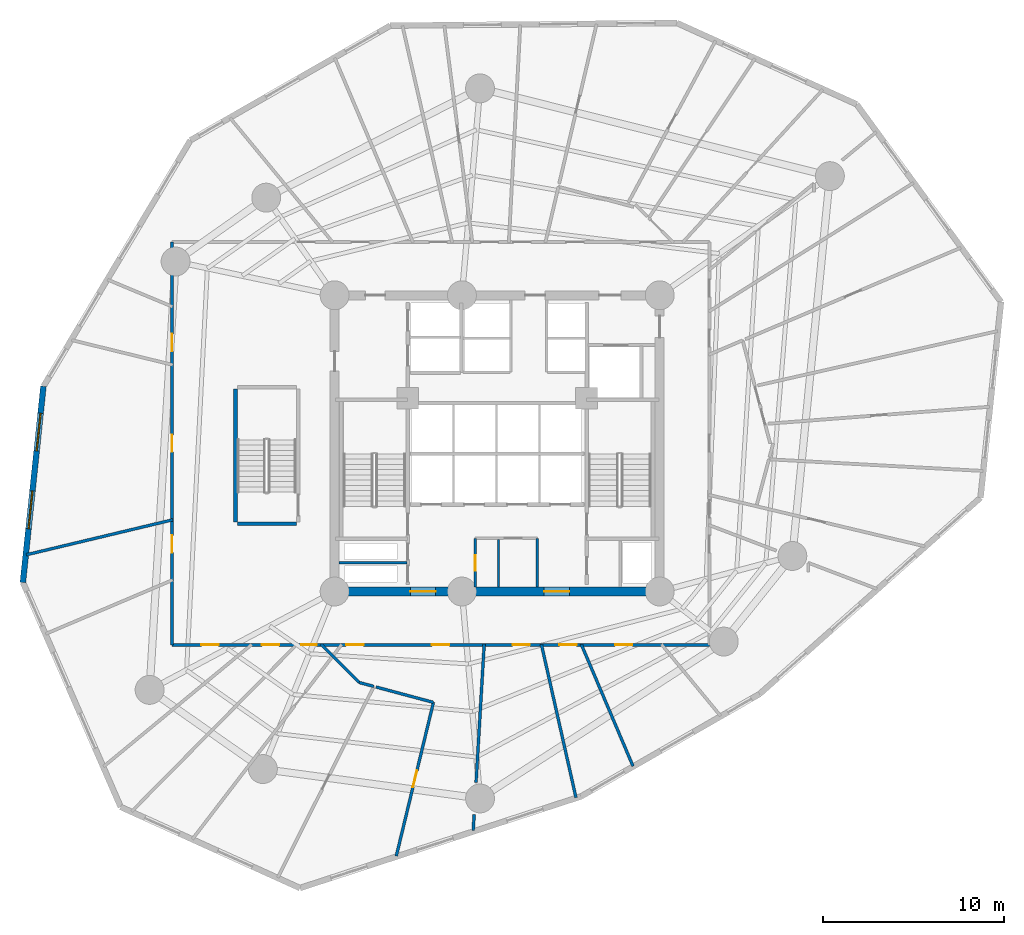
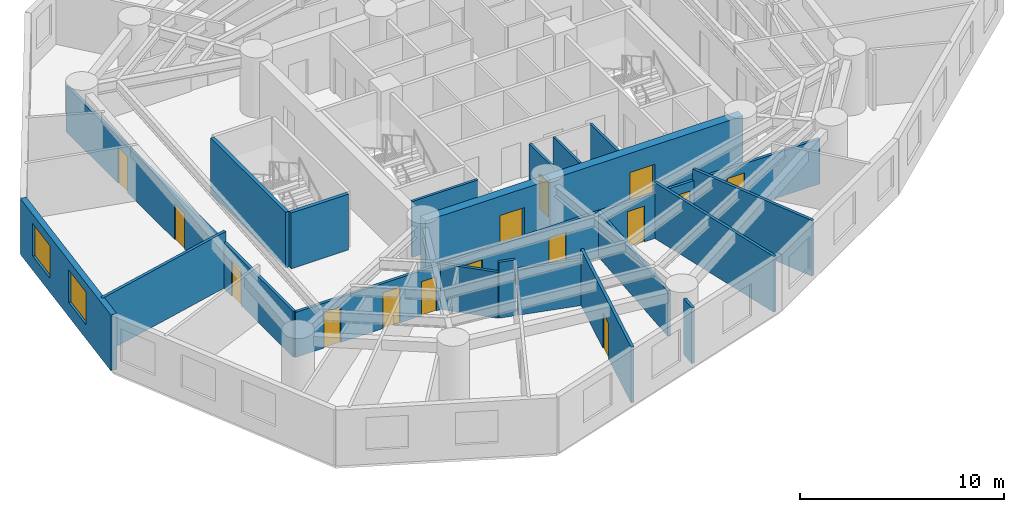
# One storey, part 3 of 8: 20 walls, 15 doors, 2 windows, 17 openings.
"""IFC4 building model written with IfcOpenShell, lengths in metres."""

import ifcopenshell
import ifcopenshell.guid

model = None  # the IFC model being written
_history = None  # IfcOwnerHistory: only IFC2X3 demands one
_inside = {}  # id of a spatial element -> (the spatial element, [elements in it])
_under = {}  # id of a project, library or spatial element -> (it, [spatial elements below it])
_declared = {}  # id of a project -> (the project, [libraries it declares])
_typed = {}  # id of a type object -> (the type object, [elements of that type])
_made_of = {}  # id of a material, layer set ... -> (it, [elements and type objects made of it])


def new_model(schema):
    """Start an empty IFC model of exactly this schema.

    Asked for "IFC4X3", IfcOpenShell would pick the latest addendum, in which some entities
    have other attributes; the version numbers below select the first issue.
    IFC2X3 requires an IfcOwnerHistory on every rooted entity: one is made here for all.
    """
    global model, _history
    if schema == "IFC4X3":
        model = ifcopenshell.file(schema_version=(4, 3, 0, 0))
    else:
        model = ifcopenshell.file(schema=schema)
    _inside.clear()
    _under.clear()
    _declared.clear()
    _typed.clear()
    _made_of.clear()
    _history = None
    if model.schema == "IFC2X3":
        org = make("IfcOrganization", Name="unknown")
        user = make(
            "IfcPersonAndOrganization",
            ThePerson=make("IfcPerson", FamilyName="unknown"),
            TheOrganization=org,
        )
        app = make(
            "IfcApplication",
            ApplicationDeveloper=org,
            Version="unknown",
            ApplicationFullName="unknown",
            ApplicationIdentifier="unknown",
        )
        _history = make(
            "IfcOwnerHistory",
            OwningUser=user,
            OwningApplication=app,
            ChangeAction="ADDED",
            CreationDate=0,
        )
    return model


def make(cls, **values):
    """One entity of the class cls with the attributes given. An attribute that is None is left unset."""
    return model.create_entity(
        cls, **{name: value for name, value in values.items() if value is not None}
    )


def rooted(cls, **values):
    """An entity with a GlobalId (a new one), such as an element, a storey or a relation."""
    return make(cls, GlobalId=ifcopenshell.guid.new(), OwnerHistory=_history, **values)


def si_unit(unit_type, name, prefix=None):
    """IfcSIUnit, for example si_unit("LENGTHUNIT", "METRE", prefix="MILLI")."""
    return make("IfcSIUnit", UnitType=unit_type, Prefix=prefix, Name=name)


def assignment(units):
    """IfcUnitAssignment: the units of a project."""
    return None if units is None else make("IfcUnitAssignment", Units=units)


def point(xyz):
    """IfcCartesianPoint."""
    return None if xyz is None else make("IfcCartesianPoint", Coordinates=xyz)


def direction(xyz):
    """IfcDirection."""
    return None if xyz is None else make("IfcDirection", DirectionRatios=xyz)


def frame(location, z_axis=None, x_axis=None):
    """IfcAxis2Placement3D, a coordinate frame: its origin and axes. An axis left out is left unset."""
    return make(
        "IfcAxis2Placement3D",
        Location=point(location),
        Axis=direction(z_axis),
        RefDirection=direction(x_axis),
    )


def frame_2d(location, x_axis=None):
    """IfcAxis2Placement2D, a coordinate frame in the plane: its origin and x axis."""
    return make(
        "IfcAxis2Placement2D", Location=point(location), RefDirection=direction(x_axis)
    )


def origin():
    """The frame at (0, 0, 0) with its axes left unset."""
    return frame((0.0, 0.0, 0.0))


def origin_with_axes():
    """The frame at (0, 0, 0) with the z axis (0, 0, 1) and the x axis (1, 0, 0) written out."""
    return frame((0.0, 0.0, 0.0), z_axis=(0.0, 0.0, 1.0), x_axis=(1.0, 0.0, 0.0))


def place(relative_to, where):
    """IfcLocalPlacement: puts the frame where relative to a parent placement (None: the world)."""
    return make(
        "IfcLocalPlacement", PlacementRelTo=relative_to, RelativePlacement=where
    )


def context(
    kind, dimensions, precision=None, world=None, true_north=None, identifier=None
):
    """IfcGeometricRepresentationContext, for example the 3D "Model" context."""
    return make(
        "IfcGeometricRepresentationContext",
        ContextIdentifier=identifier,
        ContextType=kind,
        CoordinateSpaceDimension=dimensions,
        Precision=precision,
        WorldCoordinateSystem=world,
        TrueNorth=true_north,
    )


def subcontext(parent, identifier, kind, view, scale=None):
    """IfcGeometricRepresentationSubContext, for example "Body" below "Model"."""
    return make(
        "IfcGeometricRepresentationSubContext",
        ContextIdentifier=identifier,
        ContextType=kind,
        ParentContext=parent,
        TargetScale=scale,
        TargetView=view,
    )


def project(units=None, contexts=None):
    """IfcProject with its units and contexts."""
    return rooted(
        "IfcProject",
        Name="project",
        RepresentationContexts=contexts,
        UnitsInContext=assignment(units),
    )


def spatial(cls, under=None, at=None, **own):
    """A site, building, storey or space (cls), placed at a placement, below another one or the project."""
    s = rooted(cls, ObjectPlacement=at, **own)
    if under is not None:
        _under.setdefault(under.id(), (under, []))[1].append(s)
    return s


def profile(cls, at=None, kind="AREA", **sizes):
    """A parametric profile (cls). Its sizes go by their IFC names, for example OverallWidth=200.0."""
    return make(cls, ProfileType=kind, Position=at, **sizes)


def rectangle(**sizes):
    """IfcRectangleProfileDef."""
    return profile("IfcRectangleProfileDef", **sizes)


def extrude(swept, where, along, depth):
    """IfcExtrudedAreaSolid: the profile swept, set in the frame where, extruded along a direction by depth."""
    return make(
        "IfcExtrudedAreaSolid",
        SweptArea=swept,
        Position=where,
        ExtrudedDirection=direction(along),
        Depth=depth,
    )


def shape(context_of_items, identifier, shape_type, items):
    """IfcShapeRepresentation: the items that make up one representation, for example the "Body"."""
    return make(
        "IfcShapeRepresentation",
        ContextOfItems=context_of_items,
        RepresentationIdentifier=identifier,
        RepresentationType=shape_type,
        Items=items,
    )


def source(mapping_origin, context_of_items, identifier, shape_type, items):
    """IfcRepresentationMap: a shape defined once, which mapped items show again and again."""
    return make(
        "IfcRepresentationMap",
        MappingOrigin=mapping_origin,
        MappedRepresentation=shape(context_of_items, identifier, shape_type, items),
    )


def transform(
    local_origin,
    x_axis=None,
    y_axis=None,
    z_axis=None,
    scale=None,
    scale2=None,
    scale3=None,
    uniform=True,
):
    """IfcCartesianTransformationOperator3D, or its non-uniform kind. x_axis, y_axis, z_axis: its Axis1, 2, 3."""
    if uniform:
        return make(
            "IfcCartesianTransformationOperator3D",
            Axis1=direction(x_axis),
            Axis2=direction(y_axis),
            LocalOrigin=point(local_origin),
            Scale=scale,
            Axis3=direction(z_axis),
        )
    return make(
        "IfcCartesianTransformationOperator3DnonUniform",
        Axis1=direction(x_axis),
        Axis2=direction(y_axis),
        LocalOrigin=point(local_origin),
        Scale=scale,
        Axis3=direction(z_axis),
        Scale2=scale2,
        Scale3=scale3,
    )


def mapped(mapping_source, mapping_target):
    """IfcMappedItem: shows the shape of a source again, moved by a transform."""
    return make(
        "IfcMappedItem", MappingSource=mapping_source, MappingTarget=mapping_target
    )


def material(Name=None, Category=None):
    """IfcMaterial."""
    return make("IfcMaterial", Name=Name, Category=Category)


def layer(
    of_material, thickness, ventilated=None, Name=None, Category=None, Priority=None
):
    """IfcMaterialLayer: one layer of a wall or slab, of a material (None: an air gap)."""
    return make(
        "IfcMaterialLayer",
        Material=of_material,
        LayerThickness=thickness,
        IsVentilated=ventilated,
        Name=Name,
        Category=Category,
        Priority=Priority,
    )


def layer_set(layers, Name=None):
    """IfcMaterialLayerSet."""
    return make("IfcMaterialLayerSet", MaterialLayers=layers, LayerSetName=Name)


def made_of(thing, what):
    """Note that an element or type object is made of a material, layer set ...; save() writes the relation."""
    if what is not None:
        _made_of.setdefault(what.id(), (what, []))[1].append(thing)
    return thing


def type_object(cls, material=None, **own):
    """A type object (cls), such as IfcWallType, which elements share."""
    return made_of(rooted(cls, **own), material)


def element(
    cls,
    number,
    at=None,
    inside=None,
    cuts=None,
    type_object=None,
    material=None,
    context=None,
    identifier="Body",
    shape_type=None,
    held_by="IfcProductDefinitionShape",
    body=None,
    shapes=None,
    **own,
):
    """One element of the class cls, such as IfcWall. Its Tag is "e" and its number.

    at: its placement. inside: the storey or other place that contains it. cuts: it is an
    opening in that element (IfcRelVoidsElement). A single representation is given by context,
    identifier, shape_type and body (its items); several are given by shapes. held_by: the class
    of the entity that holds the representations. save() writes the other relations.
    """
    e = rooted(cls, Tag="e%d" % number, ObjectPlacement=at, **own)
    if body is not None:
        shapes = [shape(context, identifier, shape_type, body)]
    if shapes is not None:
        e.Representation = make(held_by, Representations=shapes)
    if inside is not None:
        _inside.setdefault(inside.id(), (inside, []))[1].append(e)
    if cuts is not None:
        rooted(
            "IfcRelVoidsElement", RelatingBuildingElement=cuts, RelatedOpeningElement=e
        )
    if type_object is not None:
        _typed.setdefault(type_object.id(), (type_object, []))[1].append(e)
    return made_of(e, material)


def fill(opening, filler):
    """IfcRelFillsElement: the door or window that sits in an opening."""
    return rooted(
        "IfcRelFillsElement",
        RelatingOpeningElement=opening,
        RelatedBuildingElement=filler,
    )


def aggregate(whole, parts):
    """IfcRelAggregates: a whole, such as a stair, and the parts it consists of."""
    return rooted("IfcRelAggregates", RelatingObject=whole, RelatedObjects=parts)


def save(model, path):
    """Write the relations noted so far, then the file.

    IfcRelAggregates (storeys below a building ...), IfcRelContainedInSpatialStructure (elements
    in a storey), IfcRelDefinesByType, IfcRelAssociatesMaterial and IfcRelDeclares: one each for
    every whole, place, type object, material and project.
    """
    for whole, parts in _under.values():
        aggregate(whole, parts)
    for where, things in _inside.values():
        rooted(
            "IfcRelContainedInSpatialStructure",
            RelatedElements=things,
            RelatingStructure=where,
        )
    for kind, things in _typed.values():
        rooted("IfcRelDefinesByType", RelatedObjects=things, RelatingType=kind)
    for what, things in _made_of.values():
        rooted("IfcRelAssociatesMaterial", RelatedObjects=things, RelatingMaterial=what)
    for by, libraries in _declared.values():
        rooted("IfcRelDeclares", RelatingContext=by, RelatedDefinitions=libraries)
    model.write(path)


model = new_model("IFC4")

# Units and contexts
model_context = context("Model", 3, precision=1e-05, world=origin(), true_north=direction((0.0, 1.0)))
body_context = subcontext(model_context, "Body", "Model", "MODEL_VIEW")
ifc_project = project(units=[si_unit("LENGTHUNIT", "METRE"), si_unit("AREAUNIT", "SQUARE_METRE"), si_unit("VOLUMEUNIT", "CUBIC_METRE"), si_unit("PLANEANGLEUNIT", "RADIAN"), si_unit("MASSUNIT", "GRAM", prefix="KILO")], contexts=[model_context])

# Site, building, storey
site_placement = place(None, origin())
site = spatial("IfcSite", under=ifc_project, at=site_placement, CompositionType="ELEMENT")
building_placement = place(site_placement, origin())
building = spatial("IfcBuilding", under=site, at=building_placement, Name="Karkom Vertical University and Central Library", CompositionType="ELEMENT")
storey_placement = place(building_placement, frame((0.0, 0.0, 30.10009765625)))
storey = spatial("IfcBuildingStorey", under=building, at=storey_placement, Name="L07", CompositionType="ELEMENT", Elevation=30.10009765625)

# Wall, openings, windows
ifc_material_1 = material(Name="Brick-faced precast concrete C45/55", Category="masonry")
ifc_layer_1 = layer(ifc_material_1, 0.320068359375)
ifc_layer_set_1 = layer_set([ifc_layer_1], Name="Brick-faced precast concrete C45/55")
wall_type_1 = type_object("IfcWallType", Name="ENV-WL-BRK-320", PredefinedType="SOLIDWALL", material=ifc_layer_set_1)
wall_1_placement = place(storey_placement, frame((3.3798828125, 29.66162109375, 0.0), z_axis=(0.0, 0.0, 1.0), x_axis=(-0.104113364298, -0.994565436447, 0.0)))
wall_1 = element("IfcWall", 1, at=wall_1_placement, inside=storey, type_object=wall_type_1, Name="Level 07 Brick-Faced Precast Facade Wall 03", PredefinedType="SOLIDWALL", context=body_context, shape_type="SweptSolid", body=[
    extrude(rectangle(XDim=10.92041015625, YDim=0.320068359375, at=frame_2d((5.460205078125, 0.0))), origin(), (0.0, 0.0, 1.0), 3.349853515625),
])
opening_1_placement = place(wall_1_placement, frame((1.49609375, 0.0, 0.85009765625)))
opening_1 = element("IfcOpeningElement", 2, at=opening_1_placement, cuts=wall_1, Name="Opening WN-03", PredefinedType="OPENING", context=body_context, shape_type="SweptSolid", body=[
    extrude(rectangle(XDim=2.10009765625, YDim=1.949951171875, at=frame_2d((1.050048828125, 0.97509765625))), frame((0.0, 0.169921875, 0.0), z_axis=(0.0, -1.0, 0.0), x_axis=(1.0, 0.0, 0.0)), (0.0, 0.0, 1.0), 0.340087890625),
])
opening_2_placement = place(wall_1_placement, frame((5.828125, 0.0, 0.85009765625)))
opening_2 = element("IfcOpeningElement", 3, at=opening_2_placement, cuts=wall_1, Name="Opening WN-03", PredefinedType="OPENING", context=body_context, shape_type="SweptSolid", body=[
    extrude(rectangle(XDim=2.10009765625, YDim=1.949951171875, at=frame_2d((1.050048828125, 0.97509765625))), frame((0.0, 0.169921875, 0.0), z_axis=(0.0, -1.0, 0.0), x_axis=(1.0, 0.0, 0.0)), (0.0, 0.0, 1.0), 0.340087890625),
])
ifc_material_2 = material(Name="Aluminium thermal-break frame with solar-control IGU", Category="aluminium")
window_type = type_object("IfcWindowType", Name="ENV-WIN-WN-03", PartitioningType="SINGLE_PANEL", PredefinedType="WINDOW", material=ifc_material_2)
shared_shape_1 = source(origin_with_axes(), body_context, "Body", "SweptSolid", [
    extrude(rectangle(XDim=2.10009765625, YDim=1.949951171875, at=frame_2d((1.050048828125, 0.97509765625))), frame((0.0, 0.030029296875, 0.0), z_axis=(0.0, -1.0, 0.0), x_axis=(1.0, 0.0, 0.0)), (0.0, 0.0, 1.0), 0.06005859375),
])
window_1_placement = place(opening_1_placement, origin())
window_1 = element("IfcWindow", 4, at=window_1_placement, inside=storey, type_object=window_type, Name="Level 07 Punched Window 3.1", OverallHeight=1.949951171875, OverallWidth=2.10009765625, PartitioningType="SINGLE_PANEL", PredefinedType="WINDOW", context=body_context, shape_type="MappedRepresentation", body=[
    mapped(shared_shape_1, transform((0.0, 0.0, 0.0), scale=1.0)),
])
fill(opening_1, window_1)
window_2_placement = place(opening_2_placement, origin())
window_2 = element("IfcWindow", 5, at=window_2_placement, inside=storey, type_object=window_type, Name="Level 07 Punched Window 3.2", OverallHeight=1.949951171875, OverallWidth=2.10009765625, PartitioningType="SINGLE_PANEL", PredefinedType="WINDOW", context=body_context, shape_type="MappedRepresentation", body=[
    mapped(shared_shape_1, transform((0.0, 0.0, 0.0), scale=1.0)),
])
fill(opening_2, window_2)

# Wall, openings, doors
ifc_material_3 = material(Name="Insulated metal-stud drywall 160mm", Category="gypsum")
ifc_layer_2 = layer(ifc_material_3, 0.159912109375)
ifc_layer_set_2 = layer_set([ifc_layer_2], Name="Insulated metal-stud drywall 160mm")
wall_type_2 = type_object("IfcWallType", Name="INT-WL-COR-160", PredefinedType="PARTITIONING", material=ifc_layer_set_2)
wall_2_placement = place(storey_placement, frame((40.25, 15.35009765625, 0.0), z_axis=(0.0, 0.0, 1.0), x_axis=(-1.0, 0.0, 0.0)))
wall_2 = element("IfcWall", 6, at=wall_2_placement, inside=storey, type_object=wall_type_2, Name="Level 07 Interior Partition Wall Level 07-CORW-CW-001", PredefinedType="PARTITIONING", context=body_context, shape_type="SweptSolid", body=[
    extrude(rectangle(XDim=29.75, YDim=0.159912109375, at=frame_2d((14.875, 0.0))), origin(), (0.0, 0.0, 1.0), 2.699951171875),
])
opening_3_placement = place(wall_2_placement, frame((27.169921875, 0.0, 0.0)))
opening_3 = element("IfcOpeningElement", 7, at=opening_3_placement, cuts=wall_2, Name="Opening D-RM1", PredefinedType="OPENING", context=body_context, shape_type="SweptSolid", body=[
    extrude(rectangle(XDim=0.949951171875, YDim=2.14990234375, at=frame_2d((0.47509765625, 1.074951171875))), frame((0.0, 0.08984375, 0.0), z_axis=(0.0, -1.0, 0.0), x_axis=(1.0, 0.0, 0.0)), (0.0, 0.0, 1.0), 0.179931640625),
])
opening_4_placement = place(wall_2_placement, frame((23.8203125, 0.0, 0.0)))
opening_4 = element("IfcOpeningElement", 8, at=opening_4_placement, cuts=wall_2, Name="Opening D-RM1", PredefinedType="OPENING", context=body_context, shape_type="SweptSolid", body=[
    extrude(rectangle(XDim=0.949951171875, YDim=2.14990234375, at=frame_2d((0.47509765625, 1.074951171875))), frame((0.0, 0.08984375, 0.0), z_axis=(0.0, -1.0, 0.0), x_axis=(1.0, 0.0, 0.0)), (0.0, 0.0, 1.0), 0.179931640625),
])
opening_5_placement = place(wall_2_placement, frame((19.1474609375, 0.0, 0.0)))
opening_5 = element("IfcOpeningElement", 9, at=opening_5_placement, cuts=wall_2, Name="Opening FD-RM2", PredefinedType="OPENING", context=body_context, shape_type="SweptSolid", body=[
    extrude(rectangle(XDim=0.9599609375, YDim=2.14990234375, at=frame_2d((0.47998046875, 1.074951171875))), frame((0.0, 0.08984375, 0.0), z_axis=(0.0, -1.0, 0.0), x_axis=(1.0, 0.0, 0.0)), (0.0, 0.0, 1.0), 0.179931640625),
])
opening_6_placement = place(wall_2_placement, frame((14.39990234375, 0.0, 0.0)))
opening_6 = element("IfcOpeningElement", 10, at=opening_6_placement, cuts=wall_2, Name="Opening FD-RM2", PredefinedType="OPENING", context=body_context, shape_type="SweptSolid", body=[
    extrude(rectangle(XDim=0.9599609375, YDim=2.14990234375, at=frame_2d((0.47998046875, 1.074951171875))), frame((0.0, 0.08984375, 0.0), z_axis=(0.0, -1.0, 0.0), x_axis=(1.0, 0.0, 0.0)), (0.0, 0.0, 1.0), 0.179931640625),
])
opening_7_placement = place(wall_2_placement, frame((9.9375, 0.0, 0.0)))
opening_7 = element("IfcOpeningElement", 11, at=opening_7_placement, cuts=wall_2, Name="Opening FD-RM2", PredefinedType="OPENING", context=body_context, shape_type="SweptSolid", body=[
    extrude(rectangle(XDim=0.9599609375, YDim=2.14990234375, at=frame_2d((0.47998046875, 1.074951171875))), frame((0.0, 0.08984375, 0.0), z_axis=(0.0, -1.0, 0.0), x_axis=(1.0, 0.0, 0.0)), (0.0, 0.0, 1.0), 0.179931640625),
])
opening_8_placement = place(wall_2_placement, frame((7.3525390625, 0.0, 0.0)))
opening_8 = element("IfcOpeningElement", 12, at=opening_8_placement, cuts=wall_2, Name="Opening D-RM1", PredefinedType="OPENING", context=body_context, shape_type="SweptSolid", body=[
    extrude(rectangle(XDim=0.949951171875, YDim=2.14990234375, at=frame_2d((0.47509765625, 1.074951171875))), frame((0.0, 0.08984375, 0.0), z_axis=(0.0, -1.0, 0.0), x_axis=(1.0, 0.0, 0.0)), (0.0, 0.0, 1.0), 0.179931640625),
])
opening_9_placement = place(wall_2_placement, frame((4.265625, 0.0, 0.0)))
opening_9 = element("IfcOpeningElement", 13, at=opening_9_placement, cuts=wall_2, Name="Opening FD-RM2", PredefinedType="OPENING", context=body_context, shape_type="SweptSolid", body=[
    extrude(rectangle(XDim=0.9599609375, YDim=2.14990234375, at=frame_2d((0.47998046875, 1.074951171875))), frame((0.0, 0.08984375, 0.0), z_axis=(0.0, -1.0, 0.0), x_axis=(1.0, 0.0, 0.0)), (0.0, 0.0, 1.0), 0.179931640625),
])
opening_10_placement = place(wall_2_placement, frame((21.7421875, 0.0, 0.0)))
opening_10 = element("IfcOpeningElement", 14, at=opening_10_placement, cuts=wall_2, Name="Opening FD-BTH2", PredefinedType="OPENING", context=body_context, shape_type="SweptSolid", body=[
    extrude(rectangle(XDim=0.860107421875, YDim=2.0400390625, at=frame_2d((0.43017578125, 1.02001953125))), frame((0.0, 0.08984375, 0.0), z_axis=(0.0, -1.0, 0.0), x_axis=(1.0, 0.0, 0.0)), (0.0, 0.0, 1.0), 0.179931640625),
])
ifc_material_4 = material(Name="Fire-rated oak veneer door", Category="wood")
door_type_1 = type_object("IfcDoorType", Name="INT-DR-FRM2", OperationType="NOTDEFINED", PredefinedType="DOOR", material=ifc_material_4)
shared_shape_2 = source(origin_with_axes(), body_context, "Body", "SweptSolid", [
    extrude(rectangle(XDim=0.9599609375, YDim=2.14990234375, at=frame_2d((0.47998046875, 1.074951171875))), frame((0.0, 0.02490234375, 0.0), z_axis=(0.0, -1.0, 0.0), x_axis=(1.0, 0.0, 0.0)), (0.0, 0.0, 1.0), 0.050048828125),
])
door_1_placement = place(opening_5_placement, origin())
door_1 = element("IfcDoor", 15, at=door_1_placement, inside=storey, type_object=door_type_1, Name="Level 07 Room Entry Door 040", OperationType="SINGLE_SWING_LEFT", OverallHeight=2.14990234375, OverallWidth=0.9599609375, PredefinedType="DOOR", context=body_context, shape_type="MappedRepresentation", body=[
    mapped(shared_shape_2, transform((0.0, 0.0, 0.0), scale=1.0)),
])
fill(opening_5, door_1)
door_2_placement = place(opening_6_placement, origin())
door_2 = element("IfcDoor", 16, at=door_2_placement, inside=storey, type_object=door_type_1, Name="Level 07 Room Entry Door 070", OperationType="SINGLE_SWING_RIGHT", OverallHeight=2.14990234375, OverallWidth=0.9599609375, PredefinedType="DOOR", context=body_context, shape_type="MappedRepresentation", body=[
    mapped(shared_shape_2, transform((0.0, 0.0, 0.0), scale=1.0)),
])
fill(opening_6, door_2)
door_3_placement = place(opening_7_placement, origin())
door_3 = element("IfcDoor", 17, at=door_3_placement, inside=storey, type_object=door_type_1, Name="Level 07 Room Entry Door 080", OperationType="SINGLE_SWING_LEFT", OverallHeight=2.14990234375, OverallWidth=0.9599609375, PredefinedType="DOOR", context=body_context, shape_type="MappedRepresentation", body=[
    mapped(shared_shape_2, transform((0.0, 0.0, 0.0), scale=1.0)),
])
fill(opening_7, door_3)
door_4_placement = place(opening_9_placement, origin())
door_4 = element("IfcDoor", 18, at=door_4_placement, inside=storey, type_object=door_type_1, Name="Level 07 Room Entry Door 100", OperationType="SINGLE_SWING_LEFT", OverallHeight=2.14990234375, OverallWidth=0.9599609375, PredefinedType="DOOR", context=body_context, shape_type="MappedRepresentation", body=[
    mapped(shared_shape_2, transform((0.0, 0.0, 0.0), scale=1.0)),
])
fill(opening_9, door_4)
ifc_material_5 = material(Name="Fire-rated moisture-resistant oak door", Category="wood")
door_type_2 = type_object("IfcDoorType", Name="INT-DR-FBTH2", OperationType="NOTDEFINED", PredefinedType="DOOR", material=ifc_material_5)
shared_shape_3 = source(origin_with_axes(), body_context, "Body", "SweptSolid", [
    extrude(rectangle(XDim=0.860107421875, YDim=2.0400390625, at=frame_2d((0.43017578125, 1.02001953125))), frame((0.0, 0.02490234375, 0.0), z_axis=(0.0, -1.0, 0.0), x_axis=(1.0, 0.0, 0.0)), (0.0, 0.0, 1.0), 0.050048828125),
])
door_5_placement = place(opening_10_placement, origin())
door_5 = element("IfcDoor", 19, at=door_5_placement, inside=storey, type_object=door_type_2, Name="Level 07 University Seminar Classroom Entry Door", OperationType="SINGLE_SWING_LEFT", OverallHeight=2.0400390625, OverallWidth=0.860107421875, PredefinedType="DOOR", context=body_context, shape_type="MappedRepresentation", body=[
    mapped(shared_shape_3, transform((0.0, 0.0, 0.0), scale=1.0)),
])
fill(opening_10, door_5)
ifc_material_6 = material(Name="Solid-core oak veneer door", Category="wood")
door_type_3 = type_object("IfcDoorType", Name="INT-DR-RM1", OperationType="NOTDEFINED", PredefinedType="DOOR", material=ifc_material_6)
shared_shape_4 = source(origin_with_axes(), body_context, "Body", "SweptSolid", [
    extrude(rectangle(XDim=0.949951171875, YDim=2.14990234375, at=frame_2d((0.47509765625, 1.074951171875))), frame((0.0, 0.02490234375, 0.0), z_axis=(0.0, -1.0, 0.0), x_axis=(1.0, 0.0, 0.0)), (0.0, 0.0, 1.0), 0.050048828125),
])
door_6_placement = place(opening_3_placement, origin())
door_6 = element("IfcDoor", 20, at=door_6_placement, inside=storey, type_object=door_type_3, Name="Level 07 Room Entry Door 020", OperationType="SINGLE_SWING_LEFT", OverallHeight=2.14990234375, OverallWidth=0.949951171875, PredefinedType="DOOR", context=body_context, shape_type="MappedRepresentation", body=[
    mapped(shared_shape_4, transform((0.0, 0.0, 0.0), scale=1.0)),
])
fill(opening_3, door_6)
door_7_placement = place(opening_4_placement, origin())
door_7 = element("IfcDoor", 21, at=door_7_placement, inside=storey, type_object=door_type_3, Name="Level 07 Room Entry Door 030", OperationType="SINGLE_SWING_RIGHT", OverallHeight=2.14990234375, OverallWidth=0.949951171875, PredefinedType="DOOR", context=body_context, shape_type="MappedRepresentation", body=[
    mapped(shared_shape_4, transform((0.0, 0.0, 0.0), scale=1.0)),
])
fill(opening_4, door_7)
door_8_placement = place(opening_8_placement, origin())
door_8 = element("IfcDoor", 22, at=door_8_placement, inside=storey, type_object=door_type_3, Name="Level 07 Room Entry Door 090", OperationType="SINGLE_SWING_RIGHT", OverallHeight=2.14990234375, OverallWidth=0.949951171875, PredefinedType="DOOR", context=body_context, shape_type="MappedRepresentation", body=[
    mapped(shared_shape_4, transform((0.0, 0.0, 0.0), scale=1.0)),
])
fill(opening_8, door_8)

wall_3_placement = place(storey_placement, frame((10.5, 15.35009765625, 0.0), z_axis=(0.0, 0.0, 1.0), x_axis=(0.0, 1.0, 0.0)))
wall_3 = element("IfcWall", 23, at=wall_3_placement, inside=storey, type_object=wall_type_2, Name="Level 07 Interior Partition Wall Level 07-CORW-CW-002", PredefinedType="PARTITIONING", context=body_context, shape_type="SweptSolid", body=[
    extrude(rectangle(XDim=22.2998046875, YDim=0.159912109375, at=frame_2d((11.14990234375, 0.0))), origin(), (0.0, 0.0, 1.0), 2.75),
])
opening_11_placement = place(wall_3_placement, frame((10.675048828125, 0.0, 0.0)))
opening_11 = element("IfcOpeningElement", 24, at=opening_11_placement, cuts=wall_3, Name="Opening D-RM1", PredefinedType="OPENING", context=body_context, shape_type="SweptSolid", body=[
    extrude(rectangle(XDim=0.949951171875, YDim=2.14990234375, at=frame_2d((0.47509765625, 1.074951171875))), frame((0.0, 0.08984375, 0.0), z_axis=(0.0, -1.0, 0.0), x_axis=(1.0, 0.0, 0.0)), (0.0, 0.0, 1.0), 0.179931640625),
])
opening_12_placement = place(wall_3_placement, frame((5.10009765625, 0.0, 0.0)))
opening_12 = element("IfcOpeningElement", 25, at=opening_12_placement, cuts=wall_3, Name="Opening FD-RM2", PredefinedType="OPENING", context=body_context, shape_type="SweptSolid", body=[
    extrude(rectangle(XDim=0.9599609375, YDim=2.14990234375, at=frame_2d((0.47998046875, 1.074951171875))), frame((0.0, 0.08984375, 0.0), z_axis=(0.0, -1.0, 0.0), x_axis=(1.0, 0.0, 0.0)), (0.0, 0.0, 1.0), 0.179931640625),
])
opening_13_placement = place(wall_3_placement, frame((16.25, 0.0, 0.0)))
opening_13 = element("IfcOpeningElement", 26, at=opening_13_placement, cuts=wall_3, Name="Opening FD-RM2", PredefinedType="OPENING", context=body_context, shape_type="SweptSolid", body=[
    extrude(rectangle(XDim=0.9599609375, YDim=2.14990234375, at=frame_2d((0.47998046875, 1.074951171875))), frame((0.0, 0.08984375, 0.0), z_axis=(0.0, -1.0, 0.0), x_axis=(1.0, 0.0, 0.0)), (0.0, 0.0, 1.0), 0.179931640625),
])
door_9_placement = place(opening_12_placement, origin())
door_9 = element("IfcDoor", 27, at=door_9_placement, inside=storey, type_object=door_type_1, Name="Level 07 Room Entry Door 010", OperationType="SINGLE_SWING_RIGHT", OverallHeight=2.14990234375, OverallWidth=0.9599609375, PredefinedType="DOOR", context=body_context, shape_type="MappedRepresentation", body=[
    mapped(shared_shape_2, transform((0.0, 0.0, 0.0), scale=1.0)),
])
fill(opening_12, door_9)
door_10_placement = place(opening_13_placement, origin())
door_10 = element("IfcDoor", 28, at=door_10_placement, inside=storey, type_object=door_type_1, Name="Level 07 Room Entry Door 310", OperationType="SINGLE_SWING_RIGHT", OverallHeight=2.14990234375, OverallWidth=0.9599609375, PredefinedType="DOOR", context=body_context, shape_type="MappedRepresentation", body=[
    mapped(shared_shape_2, transform((0.0, 0.0, 0.0), scale=1.0)),
])
fill(opening_13, door_10)
door_11_placement = place(opening_11_placement, origin())
door_11 = element("IfcDoor", 29, at=door_11_placement, inside=storey, type_object=door_type_3, Name="Level 07 Room Entry Door 000", OperationType="SINGLE_SWING_LEFT", OverallHeight=2.14990234375, OverallWidth=0.949951171875, PredefinedType="DOOR", context=body_context, shape_type="MappedRepresentation", body=[
    mapped(shared_shape_4, transform((0.0, 0.0, 0.0), scale=1.0)),
])
fill(opening_11, door_11)

# Wall, opening, door
wall_4_placement = place(storey_placement, frame((24.97216796875, 12.162353515625, 0.0), z_axis=(0.0, 0.0, 1.0), x_axis=(-0.234974950942, -0.972001426146, 0.0)))
wall_4 = element("IfcWall", 30, at=wall_4_placement, inside=storey, type_object=wall_type_2, Name="Level 07 Interior Partition Wall Level 07-PW-013", PredefinedType="PARTITIONING", context=body_context, shape_type="SweptSolid", body=[
    extrude(rectangle(XDim=8.753662109375, YDim=0.159912109375, at=frame_2d((4.376953125, 0.0))), origin(), (0.0, 0.0, 1.0), 3.349853515625),
])
opening_14_placement = place(wall_4_placement, frame((3.884521484375, 0.0, 0.0)))
opening_14 = element("IfcOpeningElement", 31, at=opening_14_placement, cuts=wall_4, Name="Opening D-RM1", PredefinedType="OPENING", context=body_context, shape_type="SweptSolid", body=[
    extrude(rectangle(XDim=0.949951171875, YDim=2.14990234375, at=frame_2d((0.47509765625, 1.074951171875))), frame((0.0, 0.08984375, 0.0), z_axis=(0.0, -1.0, 0.0), x_axis=(1.0, 0.0, 0.0)), (0.0, 0.0, 1.0), 0.179931640625),
])
door_12_placement = place(opening_14_placement, origin())
door_12 = element("IfcDoor", 32, at=door_12_placement, inside=storey, type_object=door_type_3, Name="Level 07 Room Entry Door 060", OperationType="SINGLE_SWING_RIGHT", OverallHeight=2.14990234375, OverallWidth=0.949951171875, PredefinedType="DOOR", context=body_context, shape_type="MappedRepresentation", body=[
    mapped(shared_shape_4, transform((0.0, 0.0, 0.0), scale=1.0)),
])
fill(opening_14, door_12)

# Walls
wall_5_placement = place(storey_placement, frame((30.947998046875, 15.37939453125, 0.0), z_axis=(0.0, 0.0, 1.0), x_axis=(0.220109381134, -0.975475197192, 0.0)))
element("IfcWall", 33, at=wall_5_placement, inside=storey, type_object=wall_type_2, Name="Level 07 Interior Partition Wall Level 07-PW-016", PredefinedType="PARTITIONING", context=body_context, shape_type="SweptSolid", body=[
    extrude(rectangle(XDim=8.7060546875, YDim=0.159912109375, at=frame_2d((4.35302734375, 0.0))), origin(), (0.0, 0.0, 1.0), 3.349853515625),
])
wall_6_placement = place(storey_placement, frame((10.543701171875, 22.271484375, 0.0), z_axis=(0.0, 0.0, 1.0), x_axis=(-0.972624362116, -0.232382981775, 0.0)))
element("IfcWall", 34, at=wall_6_placement, inside=storey, type_object=wall_type_2, Name="Level 07 Interior Partition Wall Level 07-PW-001", PredefinedType="PARTITIONING", context=body_context, shape_type="SweptSolid", body=[
    extrude(rectangle(XDim=8.339599609375, YDim=0.159912109375, at=frame_2d((4.169921875, 0.0))), origin(), (0.0, 0.0, 1.0), 3.349853515625),
])
wall_7_placement = place(storey_placement, frame((27.78369140625, 15.39501953125, 0.0), z_axis=(0.0, 0.0, 1.0), x_axis=(-0.058967865687, -0.998259881402, 0.0)))
element("IfcWall", 35, at=wall_7_placement, inside=storey, type_object=wall_type_2, Name="Level 07 Interior Partition Wall Level 07-PW-014", PredefinedType="PARTITIONING", context=body_context, shape_type="SweptSolid", body=[
    extrude(rectangle(XDim=7.684326171875, YDim=0.159912109375, at=frame_2d((3.84228515625, 0.0))), origin(), (0.0, 0.0, 1.0), 2.699951171875),
])
wall_8_placement = place(storey_placement, frame((33.156982421875, 15.377685546875, 0.0), z_axis=(0.0, 0.0, 1.0), x_axis=(0.390769649895, -0.920488501134, 0.0)))
element("IfcWall", 36, at=wall_8_placement, inside=storey, type_object=wall_type_2, Name="Level 07 Interior Partition Wall Level 07-PW-017", PredefinedType="PARTITIONING", context=body_context, shape_type="SweptSolid", body=[
    extrude(rectangle(XDim=7.330322265625, YDim=0.159912109375, at=frame_2d((3.6650390625, 0.0))), origin(), (0.0, 0.0, 1.0), 3.349853515625),
])
wall_9_placement = place(storey_placement, frame((21.790283203125, 13.01513671875, 0.0), z_axis=(0.0, 0.0, 1.0), x_axis=(0.965910665344, -0.258875619892, 0.0)))
element("IfcWall", 37, at=wall_9_placement, inside=storey, type_object=wall_type_2, Name="Level 07 Interior Partition Wall Level 07-PW-012", PredefinedType="PARTITIONING", context=body_context, shape_type="SweptSolid", body=[
    extrude(rectangle(XDim=3.294189453125, YDim=0.159912109375, at=frame_2d((1.64697265625, 0.0))), origin(), (0.0, 0.0, 1.0), 2.75),
])
wall_10_placement = place(storey_placement, frame((18.741455078125, 15.3818359375, 0.0), z_axis=(0.0, 0.0, 1.0), x_axis=(0.707106781187, -0.707106781187, 0.0)))
element("IfcWall", 38, at=wall_10_placement, inside=storey, type_object=wall_type_2, Name="Level 07 Interior Partition Wall Level 07-PW-010", PredefinedType="PARTITIONING", context=body_context, shape_type="SweptSolid", body=[
    extrude(rectangle(XDim=2.994140625, YDim=0.159912109375, at=frame_2d((1.4970703125, 0.0))), origin(), (0.0, 0.0, 1.0), 2.75),
])
wall_11_placement = place(storey_placement, frame((27.2265625, 5.964111328125, 0.0), z_axis=(0.0, 0.0, 1.0), x_axis=(-0.059201800939, -0.998246035187, 0.0)))
element("IfcWall", 39, at=wall_11_placement, inside=storey, type_object=wall_type_2, Name="Level 07 Interior Partition Wall Level 07-PW-015", PredefinedType="PARTITIONING", context=body_context, shape_type="SweptSolid", body=[
    extrude(rectangle(XDim=0.894775390625, YDim=0.159912109375, at=frame_2d((0.447265625, 0.0))), origin(), (0.0, 0.0, 1.0), 3.349853515625),
])
wall_12_placement = place(storey_placement, frame((20.858642578125, 13.2646484375, 0.0), z_axis=(0.0, 0.0, 1.0), x_axis=(0.965892381707, -0.25894382974, 0.0)))
element("IfcWall", 40, at=wall_12_placement, inside=storey, type_object=wall_type_2, Name="Level 07 Interior Partition Wall Level 07-PW-011", PredefinedType="PARTITIONING", context=body_context, shape_type="SweptSolid", body=[
    extrude(rectangle(XDim=0.842041015625, YDim=0.159912109375, at=frame_2d((0.4208984375, 0.0))), origin(), (0.0, 0.0, 1.0), 3.349853515625),
])
ifc_material_7 = material(Name="Moisture-resistant drywall 120mm", Category="gypsum")
ifc_layer_3 = layer(ifc_material_7, 0.1201171875)
ifc_layer_set_3 = layer_set([ifc_layer_3], Name="Moisture-resistant drywall 120mm")
wall_type_3 = type_object("IfcWallType", Name="INT-WL-INT-120", PredefinedType="PARTITIONING", material=ifc_layer_set_3)
wall_13_placement = place(storey_placement, frame((28.580078125, 18.556884765625, 0.0), z_axis=(0.0, 0.0, 1.0), x_axis=(0.0, 1.0, 0.0)))
element("IfcWall", 41, at=wall_13_placement, inside=storey, type_object=wall_type_3, Name="Level 07 Interior Partition Wall Level 07-CW-K2-DIV", PredefinedType="PARTITIONING", context=body_context, shape_type="SweptSolid", body=[
    extrude(rectangle(XDim=2.611083984375, YDim=0.1201171875, at=frame_2d((1.3056640625, 0.0))), origin(), (0.0, 0.0, 1.0), 3.349853515625),
])

# Wall, opening, door
ifc_material_8 = material(Name="Metal-stud gypsum partition 140mm", Category="gypsum")
ifc_layer_4 = layer(ifc_material_8, 0.139892578125)
ifc_layer_set_4 = layer_set([ifc_layer_4], Name="Metal-stud gypsum partition 140mm")
wall_type_4 = type_object("IfcWallType", Name="INT-WL-SUB-140", PredefinedType="PARTITIONING", material=ifc_layer_set_4)
wall_14_placement = place(storey_placement, frame((27.280029296875, 18.550048828125, 0.0), z_axis=(0.0, 0.0, 1.0), x_axis=(0.0, 1.0, 0.0)))
wall_14 = element("IfcWall", 42, at=wall_14_placement, inside=storey, type_object=wall_type_4, Name="Level 07 Interior Partition Wall Level 07-CW-KBAY-W", PredefinedType="PARTITIONING", context=body_context, shape_type="SweptSolid", body=[
    extrude(rectangle(XDim=2.68994140625, YDim=0.139892578125, at=frame_2d((1.344970703125, 0.0))), origin(), (0.0, 0.0, 1.0), 3.349853515625),
])
opening_15_placement = place(wall_14_placement, frame((0.889892578125, 0.0, 0.0)))
opening_15 = element("IfcOpeningElement", 43, at=opening_15_placement, cuts=wall_14, Name="Opening D-BATH", PredefinedType="OPENING", context=body_context, shape_type="SweptSolid", body=[
    extrude(rectangle(XDim=0.860107421875, YDim=2.10009765625, at=frame_2d((0.43017578125, 1.050048828125))), frame((0.0, 0.080078125, 0.0), z_axis=(0.0, -1.0, 0.0), x_axis=(1.0, 0.0, 0.0)), (0.0, 0.0, 1.0), 0.159912109375),
])
ifc_material_9 = material(Name="Moisture-resistant oak door", Category="wood")
door_type_4 = type_object("IfcDoorType", Name="INT-DR-BATH", OperationType="NOTDEFINED", PredefinedType="DOOR", material=ifc_material_9)
shared_shape_5 = source(origin_with_axes(), body_context, "Body", "SweptSolid", [
    extrude(rectangle(XDim=0.860107421875, YDim=2.10009765625, at=frame_2d((0.43017578125, 1.050048828125))), frame((0.0, 0.02490234375, 0.0), z_axis=(0.0, -1.0, 0.0), x_axis=(1.0, 0.0, 0.0)), (0.0, 0.0, 1.0), 0.050048828125),
])
door_13_placement = place(opening_15_placement, origin())
door_13 = element("IfcDoor", 44, at=door_13_placement, inside=storey, type_object=door_type_4, Name="Level 07 Cleaners Store Door", OperationType="SINGLE_SWING_LEFT", OverallHeight=2.10009765625, OverallWidth=0.860107421875, PredefinedType="DOOR", context=body_context, shape_type="MappedRepresentation", body=[
    mapped(shared_shape_5, transform((0.0, 0.0, 0.0), scale=1.0)),
])
fill(opening_15, door_13)

# Walls
wall_15_placement = place(storey_placement, frame((30.719970703125, 18.550048828125, 0.0), z_axis=(0.0, 0.0, 1.0), x_axis=(0.0, 1.0, 0.0)))
element("IfcWall", 45, at=wall_15_placement, inside=storey, type_object=wall_type_4, Name="Level 07 Interior Partition Wall Level 07-CW-KBAY-E", PredefinedType="PARTITIONING", context=body_context, shape_type="SweptSolid", body=[
    extrude(rectangle(XDim=2.68994140625, YDim=0.139892578125, at=frame_2d((1.344970703125, 0.0))), origin(), (0.0, 0.0, 1.0), 3.349853515625),
])
ifc_layer_5 = layer(ifc_material_8, 0.139892578125)
ifc_layer_set_5 = layer_set([ifc_layer_5], Name="Metal-stud gypsum partition 140mm")
wall_type_5 = type_object("IfcWallType", Name="INT-WL-SUB-140H", PredefinedType="PARTITIONING", material=ifc_layer_set_5)
wall_16_placement = place(storey_placement, frame((19.757080078125, 19.889892578125, 0.0), z_axis=(0.0, 0.0, 1.0), x_axis=(1.0, 0.0, 0.0)))
element("IfcWall", 46, at=wall_16_placement, inside=storey, type_object=wall_type_5, Name="Level 07 Interior Partition Wall Level 07-CW-RIS-W", PredefinedType="PARTITIONING", context=body_context, shape_type="SweptSolid", body=[
    extrude(rectangle(XDim=3.7392578125, YDim=0.139892578125, at=frame_2d((1.86962890625, 0.0))), origin(), (0.0, 0.0, 1.0), 3.349853515625),
])

# Wall, opening, door
ifc_material_10 = material(Name="Concrete C50/60", Category="concrete")
ifc_layer_6 = layer(ifc_material_10, 0.5)
ifc_layer_set_6 = layer_set([ifc_layer_6], Name="Concrete C50/60")
wall_type_6 = type_object("IfcWallType", Name="STR-WL-CW-500", PredefinedType="SHEAR", material=ifc_layer_set_6)
wall_17_placement = place(storey_placement, frame((19.5, 18.300048828125, 0.0), z_axis=(0.0, 0.0, 1.0), x_axis=(1.0, 0.0, 0.0)))
wall_17 = element("IfcWall", 47, at=wall_17_placement, inside=storey, type_object=wall_type_6, Name="Level 07 Central Core Shear Wall SW1", PredefinedType="SHEAR", context=body_context, shape_type="SweptSolid", body=[
    extrude(rectangle(XDim=7.050048828125, YDim=0.5, at=frame_2d((3.52490234375, 0.0))), origin(), (0.0, 0.0, 1.0), 3.349853515625),
])
opening_16_placement = place(wall_17_placement, frame((4.199951171875, 0.0, 0.0)))
opening_16 = element("IfcOpeningElement", 48, at=opening_16_placement, cuts=wall_17, Name="Opening FD-CLB", PredefinedType="OPENING", context=body_context, shape_type="SweptSolid", body=[
    extrude(rectangle(XDim=1.39990234375, YDim=2.199951171875, at=frame_2d((0.699951171875, 1.10009765625))), frame((0.0, 0.260009765625, 0.0), z_axis=(0.0, -1.0, 0.0), x_axis=(1.0, 0.0, 0.0)), (0.0, 0.0, 1.0), 0.52001953125),
])
ifc_material_11 = material(Name="Painted steel fire door", Category="steel")
door_type_5 = type_object("IfcDoorType", Name="INT-DR-CLB", OperationType="DOUBLE_DOOR_SINGLE_SWING", PredefinedType="DOOR", material=ifc_material_11)
shared_shape_6 = source(origin_with_axes(), body_context, "Body", "SweptSolid", [
    extrude(rectangle(XDim=1.39990234375, YDim=2.199951171875, at=frame_2d((0.699951171875, 1.10009765625))), frame((0.0, 0.02490234375, 0.0), z_axis=(0.0, -1.0, 0.0), x_axis=(1.0, 0.0, 0.0)), (0.0, 0.0, 1.0), 0.050048828125),
])
door_14_placement = place(opening_16_placement, origin())
door_14 = element("IfcDoor", 49, at=door_14_placement, inside=storey, type_object=door_type_5, Name="Level 07 South Core Lobby West Exit Door", OperationType="DOUBLE_DOOR_SINGLE_SWING", OverallHeight=2.199951171875, OverallWidth=1.39990234375, PredefinedType="DOOR", context=body_context, shape_type="MappedRepresentation", body=[
    mapped(shared_shape_6, transform((0.0, 0.0, 0.0), scale=1.0)),
])
fill(opening_16, door_14)

wall_18_placement = place(storey_placement, frame((26.550048828125, 18.300048828125, 0.0), z_axis=(0.0, 0.0, 1.0), x_axis=(1.0, 0.0, 0.0)))
wall_18 = element("IfcWall", 50, at=wall_18_placement, inside=storey, type_object=wall_type_6, Name="Level 07 Central Core Shear Wall SW2", PredefinedType="SHEAR", context=body_context, shape_type="SweptSolid", body=[
    extrude(rectangle(XDim=10.949951171875, YDim=0.5, at=frame_2d((5.47509765625, 0.0))), origin(), (0.0, 0.0, 1.0), 3.349853515625),
])
opening_17_placement = place(wall_18_placement, frame((4.550048828125, 0.0, 0.0)))
opening_17 = element("IfcOpeningElement", 51, at=opening_17_placement, cuts=wall_18, Name="Opening FD-CLB", PredefinedType="OPENING", context=body_context, shape_type="SweptSolid", body=[
    extrude(rectangle(XDim=1.39990234375, YDim=2.199951171875, at=frame_2d((0.699951171875, 1.10009765625))), frame((0.0, 0.260009765625, 0.0), z_axis=(0.0, -1.0, 0.0), x_axis=(1.0, 0.0, 0.0)), (0.0, 0.0, 1.0), 0.52001953125),
])
door_15_placement = place(opening_17_placement, origin())
door_15 = element("IfcDoor", 52, at=door_15_placement, inside=storey, type_object=door_type_5, Name="Level 07 South Core Lobby East Exit Door", OperationType="DOUBLE_DOOR_SINGLE_SWING", OverallHeight=2.199951171875, OverallWidth=1.39990234375, PredefinedType="DOOR", context=body_context, shape_type="MappedRepresentation", body=[
    mapped(shared_shape_6, transform((0.0, 0.0, 0.0), scale=1.0)),
])
fill(opening_17, door_15)

# Walls
ifc_material_12 = material(Name="Concrete C45/55", Category="concrete")
ifc_layer_7 = layer(ifc_material_12, 0.199951171875)
ifc_layer_set_7 = layer_set([ifc_layer_7], Name="Concrete C45/55")
wall_type_7 = type_object("IfcWallType", Name="STR-WL-ST-200", PredefinedType="SHEAR", material=ifc_layer_set_7)
wall_19_placement = place(storey_placement, frame((14.014892578125, 22.14990234375, 0.0), z_axis=(0.0, 0.0, 1.0), x_axis=(0.0, 1.0, 0.0)))
element("IfcWall", 53, at=wall_19_placement, inside=storey, type_object=wall_type_7, Name="Level 07 Core Shaft Wall Level 07-W-ST3-W", PredefinedType="SHEAR", context=body_context, shape_type="SweptSolid", body=[
    extrude(rectangle(XDim=7.35009765625, YDim=0.199951171875, at=frame_2d((3.675048828125, 0.0))), origin(), (0.0, 0.0, 1.0), 3.349853515625),
])
wall_20_placement = place(storey_placement, frame((14.1201171875, 22.044921875, 0.0), z_axis=(0.0, 0.0, 1.0), x_axis=(1.0, 0.0, 0.0)))
element("IfcWall", 54, at=wall_20_placement, inside=storey, type_object=wall_type_7, Name="Level 07 Core Shaft Wall Level 07-W-ST3-S", PredefinedType="SHEAR", context=body_context, shape_type="SweptSolid", body=[
    extrude(rectangle(XDim=3.259765625, YDim=0.199951171875, at=frame_2d((1.6298828125, 0.0))), origin(), (0.0, 0.0, 1.0), 3.349853515625),
])

save(model, "model.ifc")
